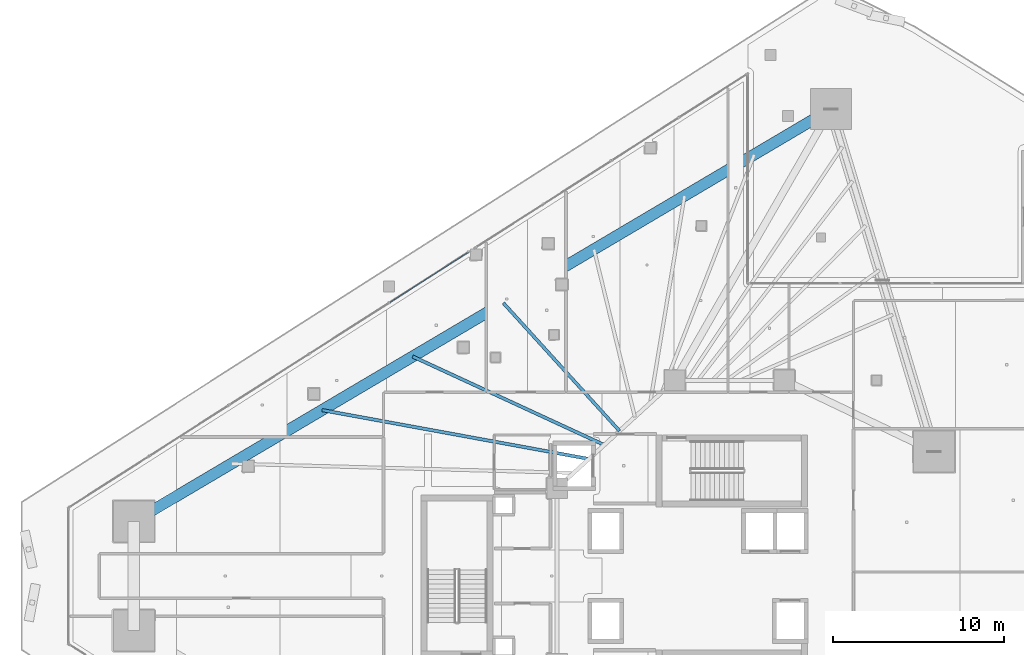
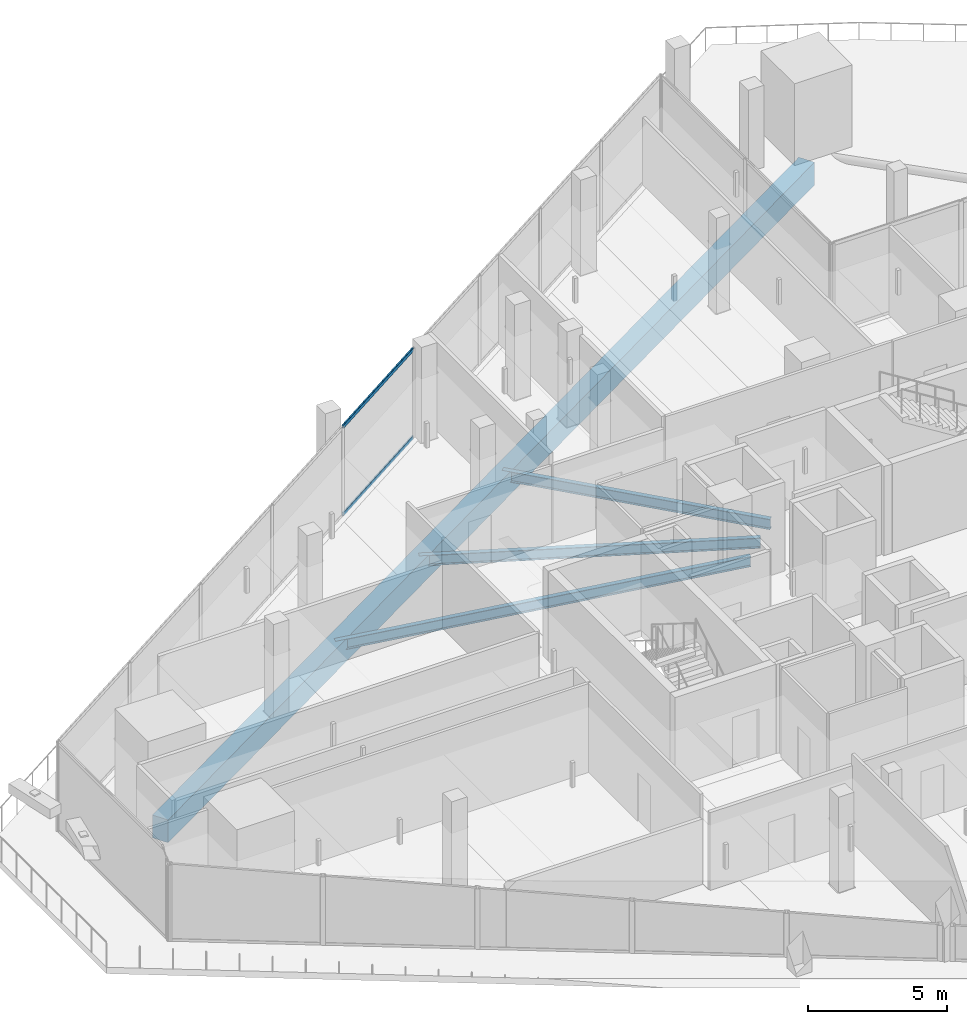
# One storey, part 17 of 47: 4 beams, 2 members, 1 element without a shape of its own.
"""IFC4 building model written with IfcOpenShell, lengths in metres."""

from ifc_helpers import new_model, si_unit, direction, frame, origin, origin_2d, place, context, subcontext, project, spatial, rectangle, hollow_rectangle, i_section, extrude, material, layer, layer_set, material_profile, profile_set, type_object, element, aggregate, save


model = new_model("IFC4")

# Units and contexts
model_context = context("Model", 3, precision=1e-05, world=origin(), true_north=direction((0.0, 1.0)))
body_context = subcontext(model_context, "Body", "Model", "MODEL_VIEW")
ifc_project = project(units=[si_unit("LENGTHUNIT", "METRE"), si_unit("AREAUNIT", "SQUARE_METRE"), si_unit("VOLUMEUNIT", "CUBIC_METRE"), si_unit("PLANEANGLEUNIT", "RADIAN"), si_unit("MASSUNIT", "GRAM", prefix="KILO")], contexts=[model_context])

# Site, building, storey
site_placement = place(None, origin())
site = spatial("IfcSite", under=ifc_project, at=site_placement, CompositionType="ELEMENT")
building_placement = place(site_placement, origin())
building = spatial("IfcBuilding", under=site, at=building_placement, Name="Qorvath Tower", CompositionType="ELEMENT")
storey_placement = place(building_placement, frame((0.0, 0.0, 82.800048828125)))
storey = spatial("IfcBuildingStorey", under=building, at=storey_placement, Name="L18", CompositionType="ELEMENT", Elevation=82.800048828125)

# Beams
ifc_material_1 = material(Name="Steel ASTM A992 Grade 50", Category="steel")
ifc_material_profile_1 = material_profile(ifc_material_1, i_section(OverallWidth=0.18994140625, OverallDepth=0.45703125, WebThickness=0.009033203125, FlangeThickness=0.014404296875, FilletRadius=0.011962890625, at=origin_2d()), Name="W18x50")
ifc_profile_set_1 = profile_set([ifc_material_profile_1], Name="Steel ASTM A992 Grade 50")
beam_type_1 = type_object("IfcBeamType", Name="BM-FJ2", PredefinedType="JOIST", material=ifc_profile_set_1)
beam_1_placement = place(storey_placement, frame((-28.636962890625, 6.85107421875, -0.508544921875), z_axis=(-0.983656498786, 0.180055248176, 0.0), x_axis=(-0.180055248176, -0.983656498786, 0.0)))
element("IfcBeam", 1, at=beam_1_placement, inside=storey, type_object=beam_type_1, Name="Composite Floor Joist NW2 L18", PredefinedType="JOIST", context=body_context, shape_type="SweptSolid", body=[
    extrude(i_section(OverallWidth=0.18994140625, OverallDepth=0.45703125, WebThickness=0.009033203125, FlangeThickness=0.014404296875, FilletRadius=0.011962890625, at=origin_2d()), origin(), (0.0, 0.0, 1.0), 15.884521484375),
])
beam_2_placement = place(storey_placement, frame((-27.739990234375, 7.669921875, -0.508544921875), z_axis=(-0.907881281747, 0.419227358665, 0.0), x_axis=(-0.419227358665, -0.907881281747, 0.0)))
element("IfcBeam", 2, at=beam_2_placement, inside=storey, type_object=beam_type_1, Name="Composite Floor Joist NW3 L18", PredefinedType="JOIST", context=body_context, shape_type="SweptSolid", body=[
    extrude(i_section(OverallWidth=0.18994140625, OverallDepth=0.45703125, WebThickness=0.009033203125, FlangeThickness=0.014404296875, FilletRadius=0.011962890625, at=origin_2d()), origin(), (0.0, 0.0, 1.0), 12.353515625),
])
beam_3_placement = place(storey_placement, frame((-26.843017578125, 8.489013671875, -0.508544921875), z_axis=(-0.672128980215, 0.740434084815, 0.0), x_axis=(-0.740434084815, -0.672128980215, 0.0)))
element("IfcBeam", 3, at=beam_3_placement, inside=storey, type_object=beam_type_1, Name="Composite Floor Joist NW4 L18", PredefinedType="JOIST", context=body_context, shape_type="SweptSolid", body=[
    extrude(i_section(OverallWidth=0.18994140625, OverallDepth=0.45703125, WebThickness=0.009033203125, FlangeThickness=0.014404296875, FilletRadius=0.011962890625, at=origin_2d()), origin(), (0.0, 0.0, 1.0), 10.1259765625),
])
ifc_material_2 = material(Name="Concrete C50/60", Category="concrete")
ifc_material_profile_2 = material_profile(ifc_material_2, rectangle(XDim=0.64990234375, YDim=1.0, at=origin_2d()), Name="RCB 1000x650")
ifc_profile_set_2 = profile_set([ifc_material_profile_2], Name="Concrete C50/60")
beam_type_2 = type_object("IfcBeamType", Name="BM-RCB1", PredefinedType="SPANDREL", material=ifc_profile_set_2)
beam_4_placement = place(storey_placement, frame((-14.46435546875, 27.330810546875, -0.780029296875), z_axis=(-0.860777360917, -0.508981664633, 0.0), x_axis=(0.508981664633, -0.860777360917, 0.0)))
element("IfcBeam", 4, at=beam_4_placement, inside=storey, type_object=beam_type_2, Name="Perimeter Loggia Frame Beam MC6-MC1 L18", PredefinedType="SPANDREL", context=body_context, shape_type="SweptSolid", body=[
    extrude(rectangle(XDim=0.64990234375, YDim=1.0, at=origin_2d()), origin(), (0.0, 0.0, 1.0), 47.420654296875),
])

# Curtain wall, members
ifc_material_3 = material(Name="Anodised aluminium and triple low-E glass", Category="aluminium")
ifc_layer = layer(ifc_material_3, 0.179931640625)
ifc_layer_set = layer_set([ifc_layer], Name="CW-SYS-5")
curtain_wall_type = type_object("IfcCurtainWallType", Name="CW-SYS-5", PredefinedType="NOTDEFINED", material=ifc_layer_set)
curtain_wall_placement = place(storey_placement, origin())
curtain_wall = element("IfcCurtainWall", 5, at=curtain_wall_placement, inside=storey, type_object=curtain_wall_type, Name="Curtain Wall CW-5 CW-T-L18-4.2", PredefinedType="NOTDEFINED")
ifc_material_4 = material(Name="Anodised aluminium 6063-T6", Category="aluminium")
ifc_material_profile_3 = material_profile(ifc_material_4, hollow_rectangle(XDim=0.06494140625, YDim=0.159912109375, WallThickness=0.00341796875, InnerFilletRadius=0.00341796875, OuterFilletRadius=0.007080078125, at=origin_2d()), Name="CWT 160x65")
ifc_profile_set_3 = profile_set([ifc_material_profile_3], Name="Anodised aluminium 6063-T6")
member_type = type_object("IfcMemberType", Name="CWT-160", PredefinedType="USERDEFINED", material=ifc_profile_set_3)
member_1_placement = place(storey_placement, frame((-35.684814453125, 18.955810546875, 0.032470703125), z_axis=(-0.842621288967, -0.538506604769, 0.0), x_axis=(0.538506604769, -0.842621288967, 0.0)))
member_1 = element("IfcMember", 6, at=member_1_placement, type_object=member_type, Name="CW-5 transom 1.1", ObjectType="TRANSOM", PredefinedType="USERDEFINED", context=body_context, shape_type="SweptSolid", body=[
    extrude(hollow_rectangle(XDim=0.06494140625, YDim=0.159912109375, WallThickness=0.00341796875, InnerFilletRadius=0.00341796875, OuterFilletRadius=0.007080078125, at=origin_2d()), origin(), (0.0, 0.0, 1.0), 5.458984375),
])
member_2_placement = place(storey_placement, frame((-35.684814453125, 18.955810546875, 3.887451171875), z_axis=(-0.842621288967, -0.538506604769, 0.0), x_axis=(0.538506604769, -0.842621288967, 0.0)))
member_2 = element("IfcMember", 7, at=member_2_placement, type_object=member_type, Name="CW-5 transom 1.2", ObjectType="TRANSOM", PredefinedType="USERDEFINED", context=body_context, shape_type="SweptSolid", body=[
    extrude(hollow_rectangle(XDim=0.06494140625, YDim=0.159912109375, WallThickness=0.00341796875, InnerFilletRadius=0.00341796875, OuterFilletRadius=0.007080078125, at=origin_2d()), origin(), (0.0, 0.0, 1.0), 5.458984375),
])
aggregate(curtain_wall, [member_1, member_2])

save(model, "model.ifc")
